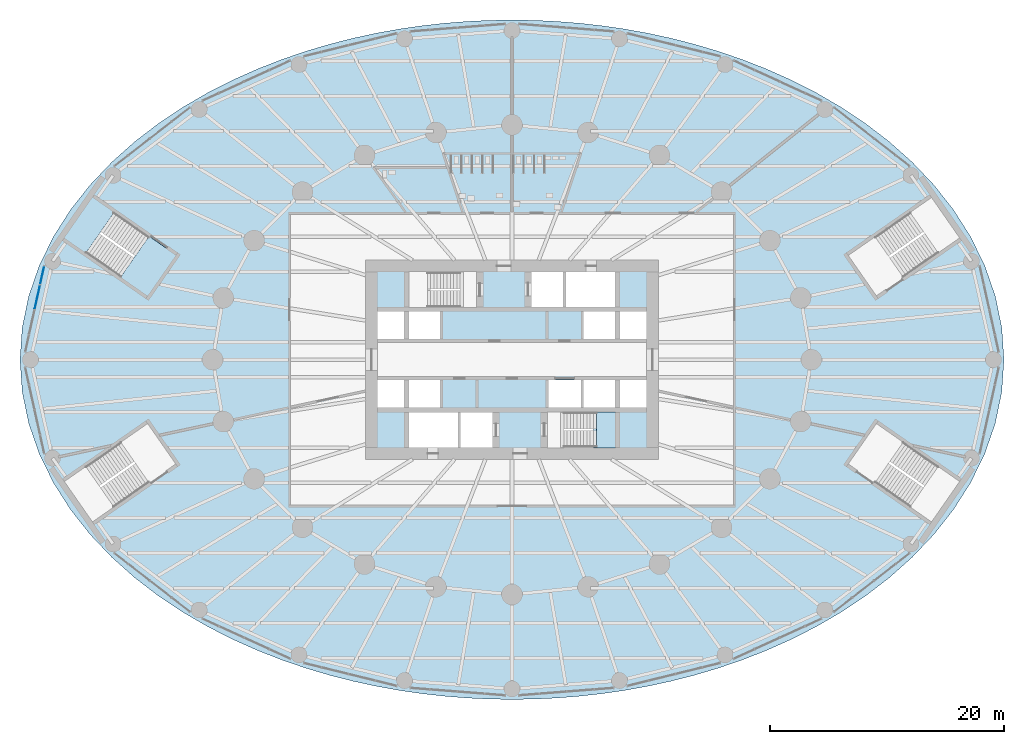
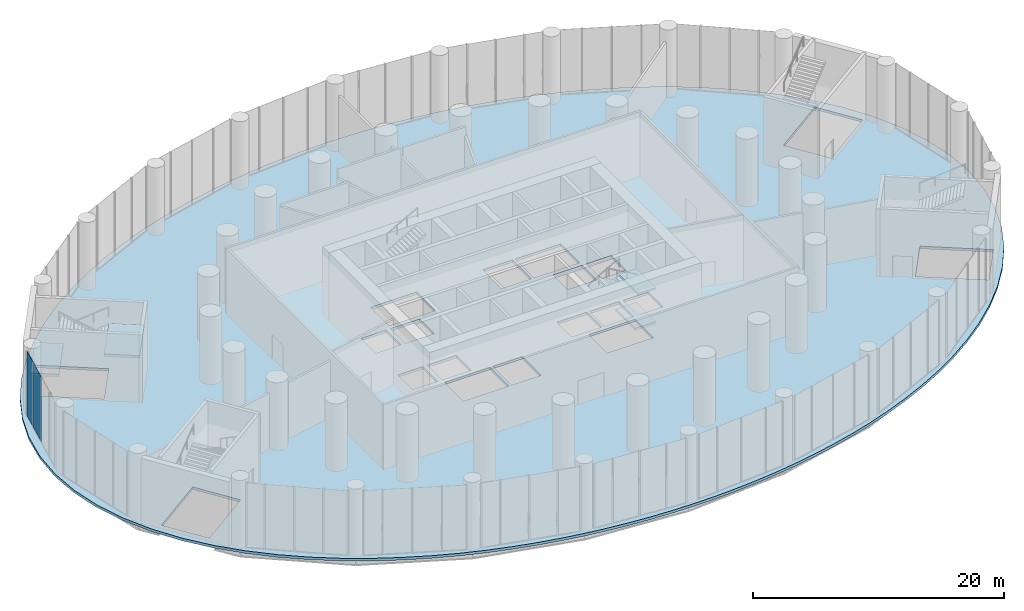
# One storey, part 14 of 22: 5 slabs, 2 plates, 3 elements without a shape of their own.
"""IFC4 building model written with IfcOpenShell, lengths in metres."""

from ifc_helpers import new_model, si_unit, direction, frame, origin, origin_2d, place, context, subcontext, project, spatial, polyline, rectangle, outline, extrude, material, layer, layer_set, type_object, element, aggregate, save


model = new_model("IFC4")

# Units and contexts
model_context = context("Model", 3, precision=1e-05, world=origin(), true_north=direction((0.0, 1.0)))
body_context = subcontext(model_context, "Body", "Model", "MODEL_VIEW")
ifc_project = project(units=[si_unit("LENGTHUNIT", "METRE"), si_unit("AREAUNIT", "SQUARE_METRE"), si_unit("VOLUMEUNIT", "CUBIC_METRE"), si_unit("PLANEANGLEUNIT", "RADIAN"), si_unit("MASSUNIT", "GRAM", prefix="KILO")], contexts=[model_context])

# Site, building, storey
site_placement = place(None, origin())
site = spatial("IfcSite", under=ifc_project, at=site_placement, CompositionType="ELEMENT")
building_placement = place(site_placement, origin())
building = spatial("IfcBuilding", under=site, at=building_placement, Name="Hankou Lantern Tower", CompositionType="ELEMENT")
storey_placement = place(building_placement, frame((0.0, 0.0, 7.199951171875)))
storey = spatial("IfcBuildingStorey", under=building, at=storey_placement, Name="L01", CompositionType="ELEMENT", Elevation=7.199951171875)

# Curtain wall, plates
ifc_material_1 = material(Name="Glass, dark grey tinted laminated", Category="glass")
curtain_wall_type = type_object("IfcCurtainWallType", Name="CWP PODIUM CURTAIN WALL", PredefinedType="USERDEFINED", material=ifc_material_1)
curtain_wall_placement = place(storey_placement, origin())
curtain_wall = element("IfcCurtainWall", 1, at=curtain_wall_placement, inside=storey, type_object=curtain_wall_type, Name="CWP L01 PC09", ObjectType="PODIUM GLAZING", PredefinedType="USERDEFINED")
ifc_material_2 = material(Name="Glass, dark grey tinted laminated", Category="glass")
ifc_layer_1 = layer(ifc_material_2, 0.037109375)
ifc_layer_set_1 = layer_set([ifc_layer_1], Name="Glass, dark grey tinted laminated")
plate_type = type_object("IfcPlateType", Name="PN2 PODIUM GLASS PANEL", PredefinedType="CURTAIN_PANEL", material=ifc_layer_set_1)
plate_1_placement = place(storey_placement, frame((-40.105224609375, 7.214599609375, 0.080078125), z_axis=(0.0, 0.0, 1.0), x_axis=(-0.215821488116, -0.976432837049, 0.0)))
plate_1 = element("IfcPlate", 2, at=plate_1_placement, type_object=plate_type, Name="CWP glass panel 1", PredefinedType="CURTAIN_PANEL", context=body_context, shape_type="SweptSolid", body=[
    extrude(rectangle(XDim=1.5869140625, YDim=0.031982421875, at=origin_2d()), origin(), (0.0, 0.0, 1.0), 6.27001953125),
])
plate_2_placement = place(storey_placement, frame((-40.52099609375, 5.333984375, 0.080078125), z_axis=(0.0, 0.0, 1.0), x_axis=(-0.215821488116, -0.976432837049, 0.0)))
plate_2 = element("IfcPlate", 3, at=plate_2_placement, type_object=plate_type, Name="CWP glass panel 2", PredefinedType="CURTAIN_PANEL", context=body_context, shape_type="SweptSolid", body=[
    extrude(rectangle(XDim=2.105224609375, YDim=0.031982421875, at=origin_2d()), origin(), (0.0, 0.0, 1.0), 6.27001953125),
])
aggregate(curtain_wall, [plate_1, plate_2])

# Slab
ifc_material_3 = material(Name="Concrete C50", Category="concrete")
ifc_layer_2 = layer(ifc_material_3, 0.25)
ifc_layer_set_2 = layer_set([ifc_layer_2], Name="Concrete C50")
slab_type_1 = type_object("IfcSlabType", Name="S2 HEAVY FLOOR SLAB 250", PredefinedType="FLOOR", material=ifc_layer_set_2)
slab_1_placement = place(storey_placement, frame((0.0, 0.0, -0.25)))
element("IfcSlab", 4, at=slab_1_placement, inside=storey, type_object=slab_type_1, Name="Floor slab L01", PredefinedType="FLOOR", context=body_context, shape_type="SweptSolid", body=[
    extrude(outline(polyline([(42.0, 0.0), (41.81201171875, 2.740478515625), (41.2568359375, 5.431640625), (40.358642578125, 8.02783203125), (39.155029296875, 10.491455078125), (37.69140625, 12.79443359375), (36.016357421875, 14.91845703125), (34.177978515625, 16.854736328125), (32.220458984375, 18.6025390625), (30.181884765625, 20.166748046875), (28.09375, 21.55712890625), (25.981689453125, 22.78515625), (23.864013671875, 23.864013671875), (21.7548828125, 24.806640625), (19.6630859375, 25.62548828125), (17.594970703125, 26.33251953125), (15.552978515625, 26.9384765625), (13.537841796875, 27.4521484375), (11.549072265625, 27.882080078125), (9.58447265625, 28.23486328125), (7.640869140625, 28.51611328125), (5.71484375, 28.730224609375), (3.80224609375, 28.880859375), (1.89892578125, 28.970458984375), (0.0, 29.0), (-1.89892578125, 28.970458984375), (-3.80224609375, 28.880859375), (-5.71484375, 28.730224609375), (-7.640869140625, 28.51611328125), (-9.58447265625, 28.23486328125), (-11.549072265625, 27.882080078125), (-13.537841796875, 27.4521484375), (-15.552978515625, 26.9384765625), (-17.594970703125, 26.33251953125), (-19.6630859375, 25.62548828125), (-21.7548828125, 24.806640625), (-23.864013671875, 23.864013671875), (-25.981689453125, 22.78515625), (-28.09375, 21.55712890625), (-30.181884765625, 20.166748046875), (-32.220458984375, 18.6025390625), (-34.177978515625, 16.854736328125), (-36.016357421875, 14.91845703125), (-37.69140625, 12.79443359375), (-39.155029296875, 10.491455078125), (-40.358642578125, 8.02783203125), (-41.2568359375, 5.431640625), (-41.81201171875, 2.740478515625), (-42.0, 0.0), (-41.81201171875, -2.740478515625), (-41.2568359375, -5.431640625), (-40.358642578125, -8.02783203125), (-39.155029296875, -10.491455078125), (-37.69140625, -12.79443359375), (-36.016357421875, -14.91845703125), (-34.177978515625, -16.854736328125), (-32.220458984375, -18.6025390625), (-30.181884765625, -20.166748046875), (-28.09375, -21.55712890625), (-25.981689453125, -22.78515625), (-23.864013671875, -23.864013671875), (-21.7548828125, -24.806640625), (-19.6630859375, -25.62548828125), (-17.594970703125, -26.33251953125), (-15.552978515625, -26.9384765625), (-13.537841796875, -27.4521484375), (-11.549072265625, -27.882080078125), (-9.58447265625, -28.23486328125), (-7.640869140625, -28.51611328125), (-5.71484375, -28.730224609375), (-3.80224609375, -28.880859375), (-1.89892578125, -28.970458984375), (0.0, -29.0), (1.89892578125, -28.970458984375), (3.80224609375, -28.880859375), (5.71484375, -28.730224609375), (7.640869140625, -28.51611328125), (9.58447265625, -28.23486328125), (11.549072265625, -27.882080078125), (13.537841796875, -27.4521484375), (15.552978515625, -26.9384765625), (17.594970703125, -26.33251953125), (19.6630859375, -25.62548828125), (21.7548828125, -24.806640625), (23.864013671875, -23.864013671875), (25.981689453125, -22.78515625), (28.09375, -21.55712890625), (30.181884765625, -20.166748046875), (32.220458984375, -18.6025390625), (34.177978515625, -16.854736328125), (36.016357421875, -14.91845703125), (37.69140625, -12.79443359375), (39.155029296875, -10.491455078125), (40.358642578125, -8.02783203125), (41.2568359375, -5.431640625), (41.81201171875, -2.740478515625), (42.0, 0.0)]), holes=[polyline([(-11.5, 4.10009765625), (-9.199951171875, 4.10009765625), (-9.199951171875, 1.75), (-11.5, 1.75), (-11.5, 4.10009765625)]), polyline([(-8.800048828125, 4.10009765625), (-6.125, 4.10009765625), (-6.125, 1.75), (-8.800048828125, 1.75), (-8.800048828125, 4.10009765625)]), polyline([(6.125, 4.10009765625), (8.800048828125, 4.10009765625), (8.800048828125, 1.75), (6.125, 1.75), (6.125, 4.10009765625)]), polyline([(9.199951171875, 4.10009765625), (11.5, 4.10009765625), (11.5, 1.75), (9.199951171875, 1.75), (9.199951171875, 4.10009765625)]), polyline([(-11.5, -1.75), (-9.199951171875, -1.75), (-9.199951171875, -4.10009765625), (-11.5, -4.10009765625), (-11.5, -1.75)]), polyline([(-8.800048828125, -1.75), (-6.125, -1.75), (-6.125, -4.10009765625), (-8.800048828125, -4.10009765625), (-8.800048828125, -1.75)]), polyline([(3.125, -1.75), (5.875, -1.75), (5.875, -4.10009765625), (3.125, -4.10009765625), (3.125, -1.75)]), polyline([(6.125, -1.75), (8.800048828125, -1.75), (8.800048828125, -4.10009765625), (6.125, -4.10009765625), (6.125, -1.75)]), polyline([(9.199951171875, -1.75), (11.5, -1.75), (11.5, -4.10009765625), (9.199951171875, -4.10009765625), (9.199951171875, -1.75)]), polyline([(1.64990234375, 7.5), (4.375, 7.5), (4.375, 4.5), (1.64990234375, 4.5), (1.64990234375, 7.5)]), polyline([(-4.375, -4.5), (-1.64990234375, -4.5), (-1.64990234375, -7.5), (-4.375, -7.5), (-4.375, -4.5)]), polyline([(-8.699951171875, 7.449951171875), (-4.449951171875, 7.449951171875), (-4.449951171875, 4.5), (-8.699951171875, 4.5), (-8.699951171875, 7.449951171875)]), polyline([(4.449951171875, -4.5), (8.699951171875, -4.5), (8.699951171875, -7.449951171875), (4.449951171875, -7.449951171875), (4.449951171875, -4.5)]), polyline([(4.625, 7.5), (8.800048828125, 7.5), (8.800048828125, 4.5), (4.625, 4.5), (4.625, 7.5)]), polyline([(-8.800048828125, -4.5), (-4.625, -4.5), (-4.625, -7.5), (-8.800048828125, -7.5), (-8.800048828125, -4.5)]), polyline([(33.4111328125, 7.056396484375), (31.0126953125, 10.50439453125), (35.815185546875, 13.8447265625), (38.213623046875, 10.39697265625), (33.4111328125, 7.056396484375)]), polyline([(-31.0126953125, 10.50439453125), (-33.4111328125, 7.056396484375), (-38.213623046875, 10.39697265625), (-35.815185546875, 13.8447265625), (-31.0126953125, 10.50439453125)]), polyline([(-33.4111328125, -7.056396484375), (-31.0126953125, -10.50439453125), (-35.815185546875, -13.8447265625), (-38.213623046875, -10.39697265625), (-33.4111328125, -7.056396484375)]), polyline([(31.0126953125, -10.50439453125), (33.4111328125, -7.056396484375), (38.213623046875, -10.39697265625), (35.815185546875, -13.8447265625), (31.0126953125, -10.50439453125)])]), origin(), (0.0, 0.0, 1.0), 0.25),
])

# Stair, slabs
ifc_material_4 = material(Name="Concrete C40", Category="concrete")
stair_type_1 = type_object("IfcStairType", Name="ST66 CORE STAIR 6600 RISE", PredefinedType="HALF_TURN_STAIR", material=ifc_material_4)
stair_1_placement = place(storey_placement, origin())
stair_1 = element("IfcStair", 5, at=stair_1_placement, inside=storey, type_object=stair_type_1, Name="Stair STB L01", PredefinedType="HALF_TURN_STAIR")
ifc_material_5 = material(Name="Concrete C40", Category="concrete")
ifc_layer_3 = layer(ifc_material_5, 0.199951171875)
ifc_layer_set_3 = layer_set([ifc_layer_3], Name="Concrete C40")
slab_type_2 = type_object("IfcSlabType", Name="SL1 STAIR LANDING 200", PredefinedType="LANDING", material=ifc_layer_set_3)
slab_2_placement = place(storey_placement, frame((0.0, 0.0, 1.37158203125)))
slab_2 = element("IfcSlab", 6, at=slab_2_placement, type_object=slab_type_2, Name="STB landing 1", PredefinedType="LANDING", context=body_context, shape_type="SweptSolid", body=[
    extrude(outline(polyline([(8.85009765625, -4.449951171875), (6.949951171875, -4.449951171875), (6.949951171875, -7.550048828125), (8.85009765625, -7.550048828125), (8.85009765625, -4.449951171875)])), origin(), (0.0, 0.0, 1.0), 0.199951171875),
])
slab_3_placement = place(storey_placement, frame((0.0, 0.0, 4.67138671875)))
slab_3 = element("IfcSlab", 7, at=slab_3_placement, type_object=slab_type_2, Name="STB landing 3", PredefinedType="LANDING", context=body_context, shape_type="SweptSolid", body=[
    extrude(outline(polyline([(8.85009765625, -4.449951171875), (7.22998046875, -4.449951171875), (7.22998046875, -7.550048828125), (8.85009765625, -7.550048828125), (8.85009765625, -4.449951171875)])), origin(), (0.0, 0.0, 1.0), 0.2001953125),
])
aggregate(stair_1, [slab_2, slab_3])

ifc_material_6 = material(Name="Concrete C40", Category="concrete")
stair_type_2 = type_object("IfcStairType", Name="PS66 PODIUM STAIR 6600 RISE", PredefinedType="HALF_TURN_STAIR", material=ifc_material_6)
stair_2_placement = place(storey_placement, origin())
stair_2 = element("IfcStair", 8, at=stair_2_placement, inside=storey, type_object=stair_type_2, Name="Stair P2 L01", PredefinedType="HALF_TURN_STAIR")
ifc_material_7 = material(Name="Concrete C40", Category="concrete")
ifc_layer_4 = layer(ifc_material_7, 0.25)
ifc_layer_set_4 = layer_set([ifc_layer_4], Name="Concrete C40")
slab_type_3 = type_object("IfcSlabType", Name="SL2 PODIUM STAIR LANDING 250", PredefinedType="LANDING", material=ifc_layer_set_4)
slab_4_placement = place(storey_placement, frame((0.0, 0.0, 1.949951171875)))
slab_4 = element("IfcSlab", 9, at=slab_4_placement, type_object=slab_type_3, Name="P2 landing 1", PredefinedType="LANDING", context=body_context, shape_type="SweptSolid", body=[
    extrude(outline(polyline([(-35.82763671875, 13.91455078125), (-38.283203125, 10.384521484375), (-36.39501953125, 9.071044921875), (-33.939453125, 12.60107421875), (-35.82763671875, 13.91455078125)])), origin(), (0.0, 0.0, 1.0), 0.25),
])
slab_5_placement = place(storey_placement, frame((0.0, 0.0, 4.150146484375)))
slab_5 = element("IfcSlab", 10, at=slab_5_placement, type_object=slab_type_3, Name="P2 landing 2", PredefinedType="LANDING", context=body_context, shape_type="SweptSolid", body=[
    extrude(outline(polyline([(-30.984130859375, 10.54541015625), (-33.439697265625, 7.015380859375), (-31.091796875, 5.382080078125), (-28.636474609375, 8.912109375), (-30.984130859375, 10.54541015625)])), origin(), (0.0, 0.0, 1.0), 0.25),
])
aggregate(stair_2, [slab_4, slab_5])

save(model, "model.ifc")
